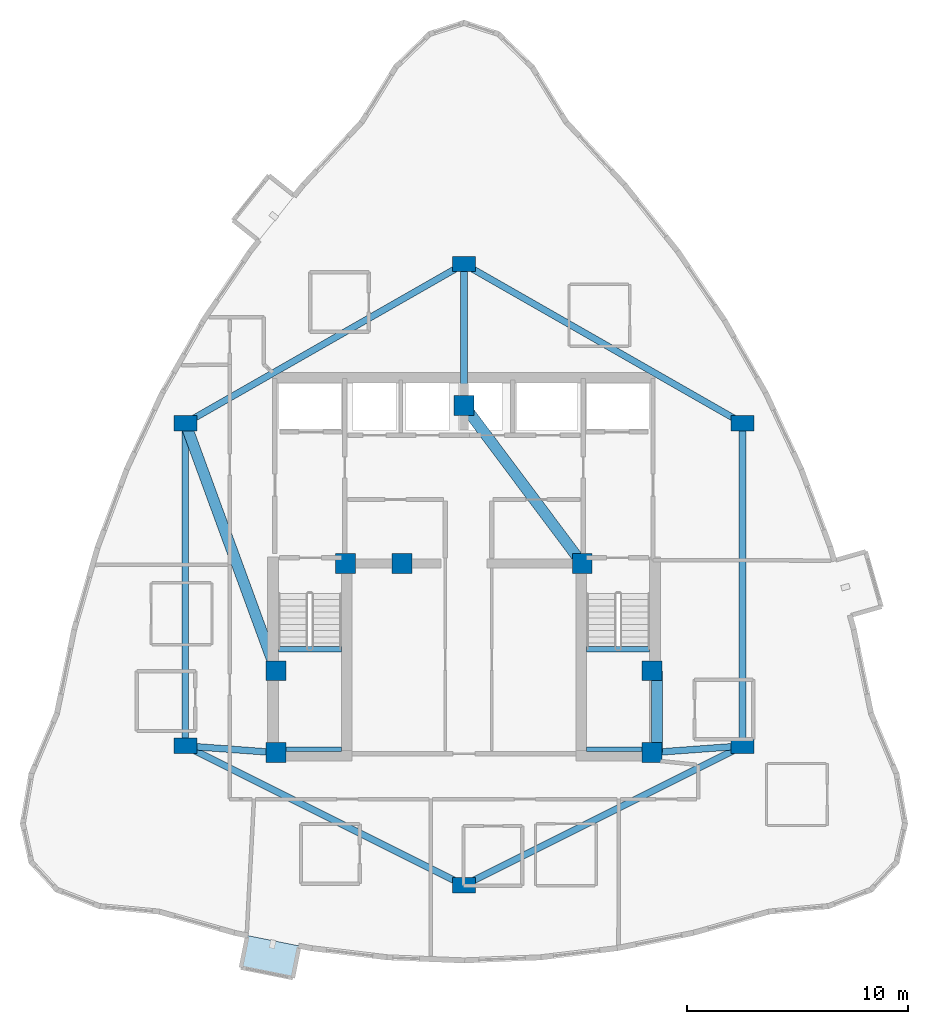
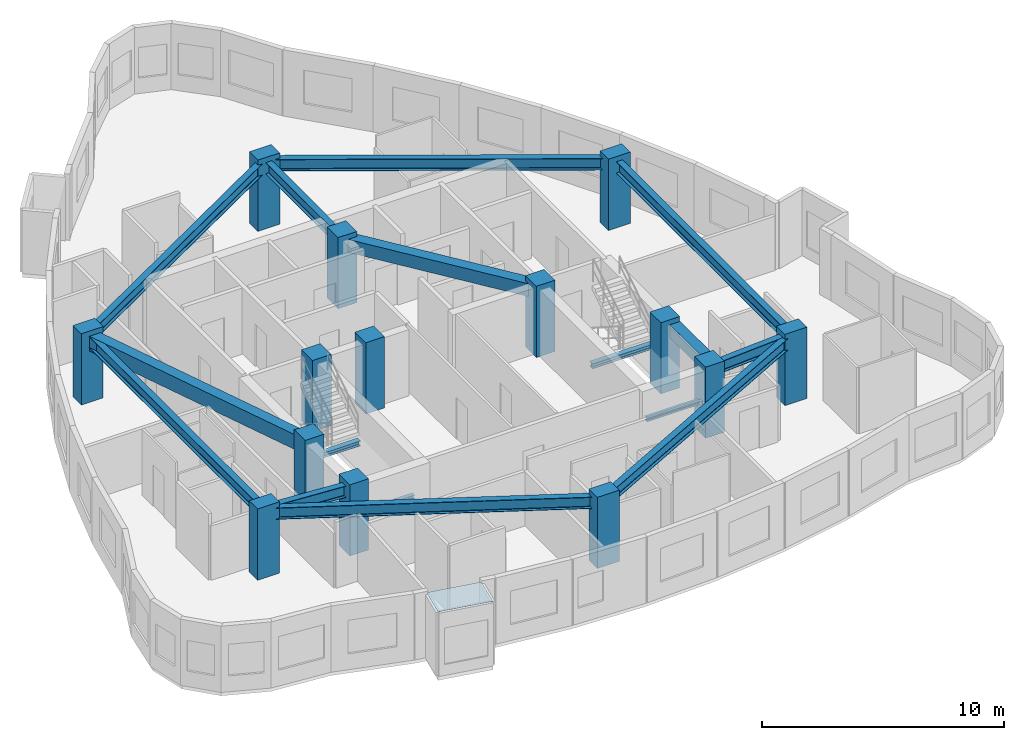
# One storey, part 1 of 10: 16 beams, 14 columns, 1 plate.
"""IFC4 building model written with IfcOpenShell, lengths in metres."""

from ifc_helpers import new_model, si_unit, direction, frame, origin, origin_2d, place, context, subcontext, project, spatial, polyline, rectangle, i_section, outline, extrude, material, layer, layer_set, material_profile, profile_set, type_object, element, save


model = new_model("IFC4")

# Units and contexts
model_context = context("Model", 3, precision=1e-05, world=origin(), true_north=direction((0.0, 1.0)))
body_context = subcontext(model_context, "Body", "Model", "MODEL_VIEW")
ifc_project = project(units=[si_unit("LENGTHUNIT", "METRE"), si_unit("AREAUNIT", "SQUARE_METRE"), si_unit("VOLUMEUNIT", "CUBIC_METRE"), si_unit("PLANEANGLEUNIT", "RADIAN"), si_unit("MASSUNIT", "GRAM", prefix="KILO")], contexts=[model_context])

# Site, building, storey
site_placement = place(None, origin())
site = spatial("IfcSite", under=ifc_project, at=site_placement, CompositionType="ELEMENT")
building_placement = place(site_placement, origin())
building = spatial("IfcBuilding", under=site, at=building_placement, Name="Miruveldt Soraemaru", CompositionType="ELEMENT")
storey_placement = place(building_placement, frame((0.0, 0.0, 230.39990234375)))
storey = spatial("IfcBuildingStorey", under=building, at=storey_placement, Name="L63", CompositionType="ELEMENT", Elevation=230.39990234375)

# Columns
ifc_material_1 = material(Name="Concrete C50/60 (50 MPa)", Category="concrete")
ifc_material_profile_1 = material_profile(ifc_material_1, rectangle(XDim=0.89990234375, YDim=0.89990234375, at=origin_2d()), Name="Concrete C50/60 (50 MPa)", Category="concrete")
ifc_profile_set_1 = profile_set([ifc_material_profile_1], Name="Concrete C50/60 (50 MPa)")
column_type_1 = type_object("IfcColumnType", Name="COL-CORE-900", PredefinedType="COLUMN", material=ifc_profile_set_1)
for number, where, z_axis, x_axis, name in (
    (1, (35.5, 35.5, 0.0), (0.0, 0.0, 1.0), (1.0, 0.0, 0.0), "L63 Structural Column CC1"),
    (2, (38.64990234375, 44.050048828125, 0.0), (0.0, 0.0, 1.0), (1.0, 0.0, 0.0), "L63 Structural Column CC2"),
    (3, (52.5, 35.5, 0.0), (0.0, 0.0, 1.0), (1.0, 0.0, 0.0), "L63 Structural Column CC3"),
    (4, (52.5, 39.199951171875, 0.0), (0.0, 0.0, 1.0), (1.0, 0.0, 0.0), "L63 Structural Column CC4"),
    (5, (49.35009765625, 44.050048828125, 0.0), (0.0, 0.0, 1.0), (1.0, 0.0, 0.0), "L63 Structural Column CC5"),
    (6, (44.0, 51.199951171875, 0.0), (0.0, 0.0, 1.0), (1.0, 0.0, 0.0), "L63 Structural Column CC6"),
    (7, (35.5, 39.199951171875, 0.0), (0.0, 0.0, 1.0), (1.0, 0.0, 0.0), "L63 Structural Column CC7"),
    (8, (41.199951171875, 44.050048828125, 0.0), (0.0, 0.0, 1.0), (1.0, 0.0, 0.0), "L63 Structural Column CC8"),
):
    element("IfcColumn", number, at=place(storey_placement, frame(where, z_axis=z_axis, x_axis=x_axis)), inside=storey, type_object=column_type_1, Name=name, PredefinedType="COLUMN", context=body_context, shape_type="SweptSolid", body=[
        extrude(rectangle(XDim=0.89990234375, YDim=0.89990234375, at=origin_2d()), origin(), (0.0, 0.0, 1.0), 3.60009765625),
    ])
ifc_material_2 = material(Name="Concrete C60/75 (60 MPa)", Category="concrete")
ifc_material_profile_2 = material_profile(ifc_material_2, rectangle(XDim=1.050048828125, YDim=0.699951171875, at=origin_2d()), Name="Concrete C60/75 (60 MPa)", Category="concrete")
ifc_profile_set_2 = profile_set([ifc_material_profile_2], Name="Concrete C60/75 (60 MPa)")
column_type_2 = type_object("IfcColumnType", Name="COL-TW-Z3", PredefinedType="COLUMN", material=ifc_profile_set_2)
for number, where, z_axis, x_axis, name in (
    (9, (44.0, 57.60009765625, 0.0), (0.0, 0.0, 1.0), (1.0, 0.0, 0.0), "L63 Structural Column IR01"),
    (10, (56.60009765625, 50.39990234375, 0.0), (0.0, 0.0, 1.0), (1.0, 0.0, 0.0), "L63 Structural Column IR02"),
    (11, (56.60009765625, 35.800048828125, 0.0), (0.0, 0.0, 1.0), (1.0, 0.0, 0.0), "L63 Structural Column IR03"),
    (12, (44.0, 29.5, 0.0), (0.0, 0.0, 1.0), (1.0, 0.0, 0.0), "L63 Structural Column IR04"),
    (13, (31.39990234375, 35.800048828125, 0.0), (0.0, 0.0, 1.0), (1.0, 0.0, 0.0), "L63 Structural Column IR05"),
    (14, (31.39990234375, 50.39990234375, 0.0), (0.0, 0.0, 1.0), (1.0, 0.0, 0.0), "L63 Structural Column IR06"),
):
    element("IfcColumn", number, at=place(storey_placement, frame(where, z_axis=z_axis, x_axis=x_axis)), inside=storey, type_object=column_type_2, Name=name, PredefinedType="COLUMN", context=body_context, shape_type="SweptSolid", body=[
        extrude(rectangle(XDim=1.050048828125, YDim=0.699951171875, at=origin_2d()), origin(), (0.0, 0.0, 1.0), 3.60009765625),
    ])

# Beams
ifc_material_profile_3 = material_profile(ifc_material_1, rectangle(XDim=0.5, YDim=0.64990234375, at=origin_2d()), Name="Concrete C50/60 (50 MPa)", Category="concrete")
ifc_profile_set_3 = profile_set([ifc_material_profile_3], Name="Concrete C50/60 (50 MPa)")
beam_type_1 = type_object("IfcBeamType", Name="BM-RC-500x650", PredefinedType="BEAM", material=ifc_profile_set_3)
beam_1_placement = place(storey_placement, frame((52.72998046875, 35.5, 3.02001953125), z_axis=(0.0, 1.0, 0.0), x_axis=(-1.0, 0.0, 0.0)))
element("IfcBeam", 15, at=beam_1_placement, inside=storey, type_object=beam_type_1, Name="L63 Core Tie Beam 3", PredefinedType="BEAM", context=body_context, shape_type="SweptSolid", body=[
    extrude(rectangle(XDim=0.5, YDim=0.64990234375, at=origin_2d()), origin(), (0.0, 0.0, 1.0), 3.699951171875),
])
beam_2_placement = place(storey_placement, frame((49.35009765625, 44.050048828125, 3.02001953125), z_axis=(-0.599116023999, 0.800662219533, 0.0), x_axis=(-0.800662219533, -0.599116023999, 0.0)))
element("IfcBeam", 16, at=beam_2_placement, inside=storey, type_object=beam_type_1, Name="L63 Core Tie Beam 5", PredefinedType="BEAM", context=body_context, shape_type="SweptSolid", body=[
    extrude(rectangle(XDim=0.5, YDim=0.64990234375, at=origin_2d()), origin(), (0.0, 0.0, 1.0), 8.929931640625),
])
ifc_material_3 = material(Name="Concrete C40/50 (40 MPa)", Category="concrete")
ifc_material_profile_4 = material_profile(ifc_material_3, rectangle(XDim=0.5, YDim=0.75, at=origin_2d()), Name="Concrete C40/50 (40 MPa)", Category="concrete")
ifc_profile_set_4 = profile_set([ifc_material_profile_4], Name="Concrete C40/50 (40 MPa)")
beam_type_2 = type_object("IfcBeamType", Name="BM-RC-500x750", PredefinedType="LINTEL", material=ifc_profile_set_4)
beam_3_placement = place(storey_placement, frame((31.39990234375, 50.39990234375, 2.97021484375), z_axis=(0.343770424598, -0.939053723262, 0.0), x_axis=(0.939053723262, 0.343770424598, 0.0)))
element("IfcBeam", 17, at=beam_3_placement, inside=storey, type_object=beam_type_2, Name="L63 West Lobby Lintel", PredefinedType="LINTEL", context=body_context, shape_type="SweptSolid", body=[
    extrude(rectangle(XDim=0.5, YDim=0.75, at=origin_2d()), origin(), (0.0, 0.0, 1.0), 11.9267578125),
])
ifc_material_4 = material(Name="Steel SM355 (355 MPa)", Category="steel")
ifc_material_profile_5 = material_profile(ifc_material_4, i_section(OverallWidth=0.300048828125, OverallDepth=0.587890625, WebThickness=0.011962890625, FlangeThickness=0.02001953125, FilletRadius=0.028076171875, at=origin_2d()), Name="Steel SM355 (355 MPa)", Category="steel")
ifc_profile_set_5 = profile_set([ifc_material_profile_5], Name="Steel SM355 (355 MPa)")
beam_type_3 = type_object("IfcBeamType", Name="BM-ST-H588", PredefinedType="BEAM", material=ifc_profile_set_5)
beam_4_placement = place(storey_placement, frame((44.0, 57.60009765625, 3.051025390625), z_axis=(0.868239001029, -0.496146185203, 0.0), x_axis=(0.496146185203, 0.868239001029, 0.0)))
element("IfcBeam", 18, at=beam_4_placement, inside=storey, type_object=beam_type_3, Name="L63 Inner Ring Girder 1", PredefinedType="BEAM", context=body_context, shape_type="SweptSolid", body=[
    extrude(i_section(OverallWidth=0.300048828125, OverallDepth=0.587890625, WebThickness=0.011962890625, FlangeThickness=0.02001953125, FilletRadius=0.028076171875, at=origin_2d()), origin(), (0.0, 0.0, 1.0), 14.51220703125),
])
beam_5_placement = place(storey_placement, frame((44.0, 51.199951171875, 3.051025390625), z_axis=(0.0, 1.0, 0.0), x_axis=(-1.0, 0.0, 0.0)))
element("IfcBeam", 19, at=beam_5_placement, inside=storey, type_object=beam_type_3, Name="L63 Core-to-Inner Radial Girder 1", PredefinedType="BEAM", context=body_context, shape_type="SweptSolid", body=[
    extrude(i_section(OverallWidth=0.300048828125, OverallDepth=0.587890625, WebThickness=0.011962890625, FlangeThickness=0.02001953125, FilletRadius=0.028076171875, at=origin_2d()), origin(), (0.0, 0.0, 1.0), 6.400146484375),
])
beam_6_placement = place(storey_placement, frame((56.60009765625, 50.39990234375, 3.051025390625), z_axis=(0.0, -1.0, 0.0), x_axis=(1.0, 0.0, 0.0)))
element("IfcBeam", 20, at=beam_6_placement, inside=storey, type_object=beam_type_3, Name="L63 Inner Ring Girder 2", PredefinedType="BEAM", context=body_context, shape_type="SweptSolid", body=[
    extrude(i_section(OverallWidth=0.300048828125, OverallDepth=0.587890625, WebThickness=0.011962890625, FlangeThickness=0.02001953125, FilletRadius=0.028076171875, at=origin_2d()), origin(), (0.0, 0.0, 1.0), 14.599853515625),
])
beam_7_placement = place(storey_placement, frame((56.60009765625, 35.800048828125, 3.051025390625), z_axis=(-0.894427191, -0.4472135955, 0.0), x_axis=(0.4472135955, -0.894427191, 0.0)))
element("IfcBeam", 21, at=beam_7_placement, inside=storey, type_object=beam_type_3, Name="L63 Inner Ring Girder 3", PredefinedType="BEAM", context=body_context, shape_type="SweptSolid", body=[
    extrude(i_section(OverallWidth=0.300048828125, OverallDepth=0.587890625, WebThickness=0.011962890625, FlangeThickness=0.02001953125, FilletRadius=0.028076171875, at=origin_2d()), origin(), (0.0, 0.0, 1.0), 14.08740234375),
])
beam_8_placement = place(storey_placement, frame((52.5, 35.5, 3.051025390625), z_axis=(0.997332985605, 0.072985723431, 0.0), x_axis=(-0.072985723431, 0.997332985605, 0.0)))
element("IfcBeam", 22, at=beam_8_placement, inside=storey, type_object=beam_type_3, Name="L63 Core-to-Inner Radial Girder 3", PredefinedType="BEAM", context=body_context, shape_type="SweptSolid", body=[
    extrude(i_section(OverallWidth=0.300048828125, OverallDepth=0.587890625, WebThickness=0.011962890625, FlangeThickness=0.02001953125, FilletRadius=0.028076171875, at=origin_2d()), origin(), (0.0, 0.0, 1.0), 4.111083984375),
])
beam_9_placement = place(storey_placement, frame((44.0, 29.5, 3.051025390625), z_axis=(-0.894427191, 0.4472135955, 0.0), x_axis=(-0.4472135955, -0.894427191, 0.0)))
element("IfcBeam", 23, at=beam_9_placement, inside=storey, type_object=beam_type_3, Name="L63 Inner Ring Girder 4", PredefinedType="BEAM", context=body_context, shape_type="SweptSolid", body=[
    extrude(i_section(OverallWidth=0.300048828125, OverallDepth=0.587890625, WebThickness=0.011962890625, FlangeThickness=0.02001953125, FilletRadius=0.028076171875, at=origin_2d()), origin(), (0.0, 0.0, 1.0), 14.08740234375),
])
beam_10_placement = place(storey_placement, frame((31.39990234375, 35.800048828125, 3.051025390625), z_axis=(0.0, 1.0, 0.0), x_axis=(-1.0, 0.0, 0.0)))
element("IfcBeam", 24, at=beam_10_placement, inside=storey, type_object=beam_type_3, Name="L63 Inner Ring Girder 5", PredefinedType="BEAM", context=body_context, shape_type="SweptSolid", body=[
    extrude(i_section(OverallWidth=0.300048828125, OverallDepth=0.587890625, WebThickness=0.011962890625, FlangeThickness=0.02001953125, FilletRadius=0.028076171875, at=origin_2d()), origin(), (0.0, 0.0, 1.0), 14.599853515625),
])
beam_11_placement = place(storey_placement, frame((35.5, 35.5, 3.051025390625), z_axis=(-0.997332985605, 0.072985723431, 0.0), x_axis=(-0.072985723431, -0.997332985605, 0.0)))
element("IfcBeam", 25, at=beam_11_placement, inside=storey, type_object=beam_type_3, Name="L63 Core-to-Inner Radial Girder 5", PredefinedType="BEAM", context=body_context, shape_type="SweptSolid", body=[
    extrude(i_section(OverallWidth=0.300048828125, OverallDepth=0.587890625, WebThickness=0.011962890625, FlangeThickness=0.02001953125, FilletRadius=0.028076171875, at=origin_2d()), origin(), (0.0, 0.0, 1.0), 4.111083984375),
])
beam_12_placement = place(storey_placement, frame((31.39990234375, 50.39990234375, 3.051025390625), z_axis=(0.868239001029, 0.496146185203, 0.0), x_axis=(-0.496146185203, 0.868239001029, 0.0)))
element("IfcBeam", 26, at=beam_12_placement, inside=storey, type_object=beam_type_3, Name="L63 Inner Ring Girder 6", PredefinedType="BEAM", context=body_context, shape_type="SweptSolid", body=[
    extrude(i_section(OverallWidth=0.300048828125, OverallDepth=0.587890625, WebThickness=0.011962890625, FlangeThickness=0.02001953125, FilletRadius=0.028076171875, at=origin_2d()), origin(), (0.0, 0.0, 1.0), 14.51220703125),
])
ifc_material_profile_6 = material_profile(ifc_material_4, i_section(OverallWidth=0.199951171875, OverallDepth=0.199951171875, WebThickness=0.008056640625, FlangeThickness=0.011962890625, FilletRadius=0.012939453125, at=origin_2d()), Name="Steel SM355 (355 MPa)", Category="steel")
ifc_profile_set_6 = profile_set([ifc_material_profile_6], Name="Steel SM355 (355 MPa)")
beam_type_4 = type_object("IfcBeamType", Name="BM-ST-LND200", PredefinedType="BEAM", material=ifc_profile_set_6)
for number, where, z_axis, x_axis, name in (
    (27, (35.60009765625, 35.64990234375, 1.5), (1.0, 0.0, 0.0), (0.0, 1.0, 0.0), "L63 ST1 Landing End Beam 1B"),
    (28, (49.550048828125, 35.64990234375, 1.5), (1.0, 0.0, 0.0), (0.0, 1.0, 0.0), "L63 ST2 Landing End Beam 1B"),
):
    element("IfcBeam", number, at=place(storey_placement, frame(where, z_axis=z_axis, x_axis=x_axis)), inside=storey, type_object=beam_type_4, Name=name, PredefinedType="BEAM", context=body_context, shape_type="SweptSolid", body=[
        extrude(i_section(OverallWidth=0.199951171875, OverallDepth=0.199951171875, WebThickness=0.008056640625, FlangeThickness=0.011962890625, FilletRadius=0.012939453125, at=origin_2d()), origin(), (0.0, 0.0, 1.0), 2.849853515625),
    ])
ifc_material_profile_7 = material_profile(ifc_material_4, i_section(OverallWidth=0.25, OverallDepth=0.25, WebThickness=0.009033203125, FlangeThickness=0.013916015625, FilletRadius=0.01611328125, at=origin_2d()), Name="Steel SM355 (355 MPa)", Category="steel")
ifc_profile_set_7 = profile_set([ifc_material_profile_7], Name="Steel SM355 (355 MPa)")
beam_type_5 = type_object("IfcBeamType", Name="BM-ST-LND250", PredefinedType="BEAM", material=ifc_profile_set_7)
for number, where, z_axis, x_axis, name in (
    (29, (35.60009765625, 40.179931640625, 1.47509765625), (1.0, 0.0, 0.0), (0.0, 1.0, 0.0), "L63 ST1 Landing Support Beam 1A"),
    (30, (49.550048828125, 40.179931640625, 1.47509765625), (1.0, 0.0, 0.0), (0.0, 1.0, 0.0), "L63 ST2 Landing Support Beam 1A"),
):
    element("IfcBeam", number, at=place(storey_placement, frame(where, z_axis=z_axis, x_axis=x_axis)), inside=storey, type_object=beam_type_5, Name=name, PredefinedType="BEAM", context=body_context, shape_type="SweptSolid", body=[
        extrude(i_section(OverallWidth=0.25, OverallDepth=0.25, WebThickness=0.009033203125, FlangeThickness=0.013916015625, FilletRadius=0.01611328125, at=origin_2d()), origin(), (0.0, 0.0, 1.0), 2.849853515625),
    ])

# Plate
ifc_material_5 = material(Name="Standing-seam titanium-zinc sheet", Category="aluminium")
ifc_layer = layer(ifc_material_5, 0.011962890625, Name="Standing-seam titanium-zinc sheet", Category="aluminium")
ifc_layer_set = layer_set([ifc_layer], Name="Standing-seam titanium-zinc sheet")
plate_type = type_object("IfcPlateType", Name="PLT-ZINC-12", PredefinedType="SHEET", material=ifc_layer_set)
plate_placement = place(storey_placement, frame((0.0, 0.0, 3.195068359375)))
element("IfcPlate", 31, at=plate_placement, inside=storey, type_object=plate_type, Name="L63 Bay Window Zinc Hood Sheet 2", PredefinedType="SHEET", context=body_context, shape_type="SweptSolid", body=[
    extrude(outline(polyline([(34.202880859375, 27.227783203125), (36.548583984375, 26.758544921875), (36.25830078125, 25.307373046875), (33.912841796875, 25.7763671875), (34.202880859375, 27.227783203125)])), origin(), (0.0, 0.0, 1.0), 0.011962890625),
])

save(model, "model.ifc")
